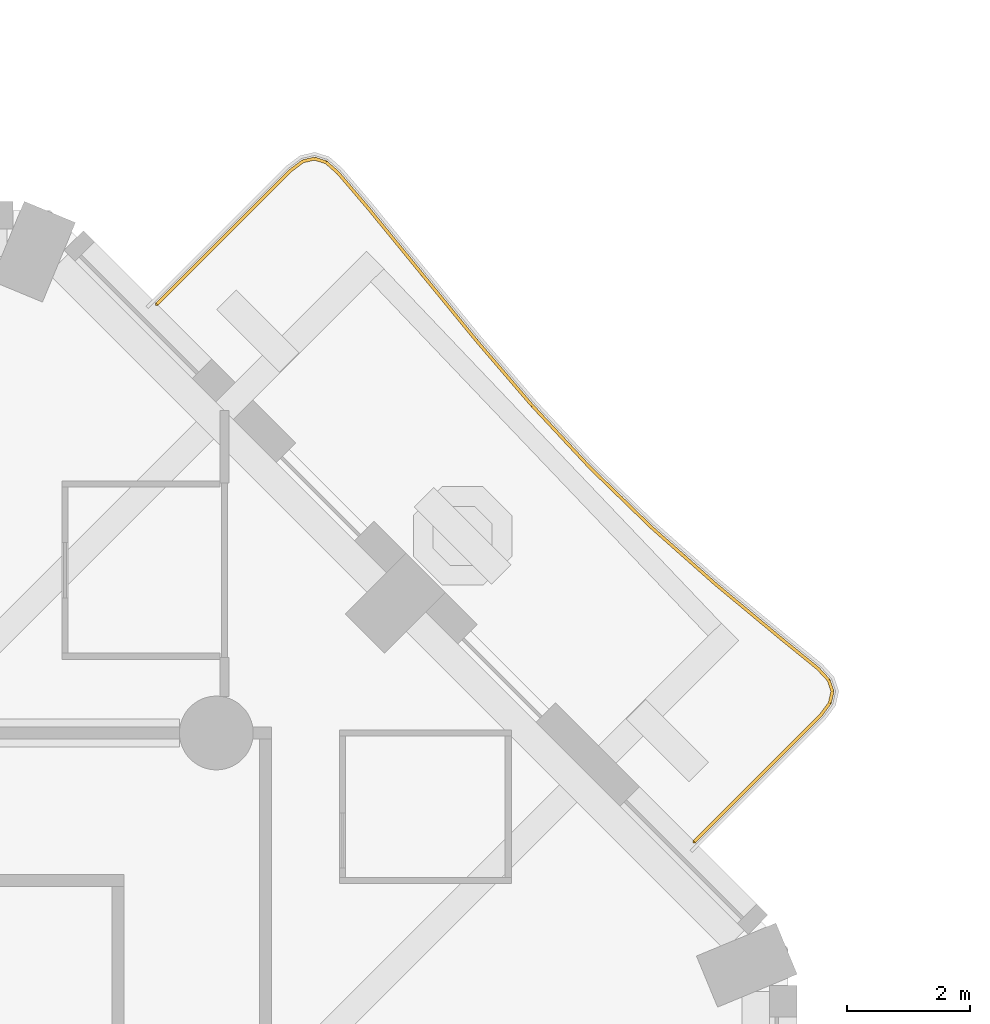
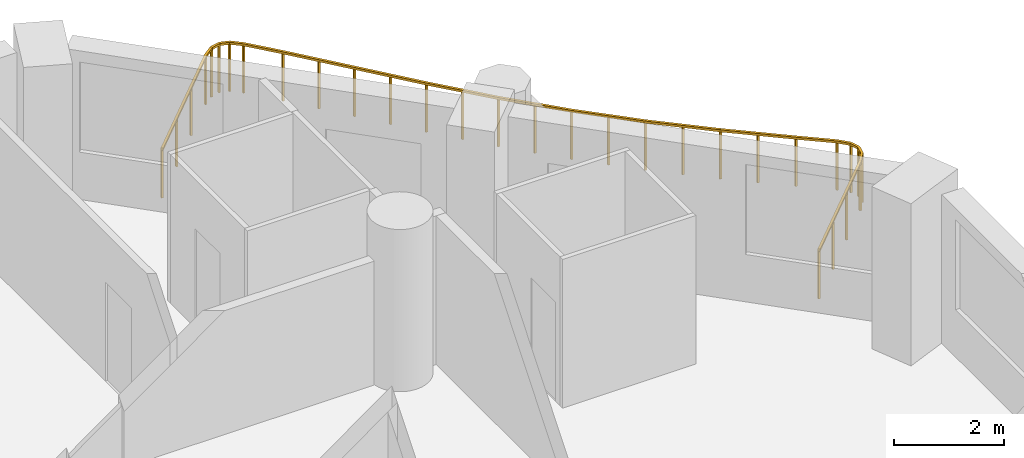
# One storey, part 19 of 20: 1 railing.
"""IFC4 building model written with IfcOpenShell, lengths in metres."""

from ifc_helpers import new_model, si_unit, direction, frame, origin, origin_2d, place, context, subcontext, project, spatial, rectangle, extrude, material, type_object, element, save


model = new_model("IFC4")

# Units and contexts
model_context = context("Model", 3, precision=1e-05, world=origin(), true_north=direction((0.0, 1.0)))
body_context = subcontext(model_context, "Body", "Model", "MODEL_VIEW")
ifc_project = project(units=[si_unit("LENGTHUNIT", "METRE"), si_unit("AREAUNIT", "SQUARE_METRE"), si_unit("VOLUMEUNIT", "CUBIC_METRE"), si_unit("PLANEANGLEUNIT", "RADIAN"), si_unit("MASSUNIT", "GRAM", prefix="KILO")], contexts=[model_context])

# Site, building, storey
site_placement = place(None, origin())
site = spatial("IfcSite", under=ifc_project, at=site_placement, CompositionType="ELEMENT")
building_placement = place(site_placement, origin())
building = spatial("IfcBuilding", under=site, at=building_placement, Name="Cypress Arch Tower", CompositionType="ELEMENT")
storey_placement = place(building_placement, frame((0.0, 0.0, 80.699951171875)))
storey = spatial("IfcBuildingStorey", under=building, at=storey_placement, Name="L14", CompositionType="ELEMENT", Elevation=80.699951171875)

# Railing
ifc_material = material(Name="Powder-coated steel posts and rods, 100 mm clear between rods", Category="steel")
railing_type = type_object("IfcRailingType", Name="Balcony guard GR1100", PredefinedType="GUARDRAIL", material=ifc_material)
railing_placement = place(storey_placement, frame((14.33251953125, 24.479736328125, 0.0)))
element("IfcRailing", 1, at=railing_placement, inside=storey, type_object=railing_type, Name="Balcony guard L14-A07", PredefinedType="GUARDRAIL", context=body_context, shape_type="SweptSolid", body=[
    extrude(rectangle(XDim=0.050048828125, YDim=0.050048828125, at=origin_2d()), frame((0.0, 0.0, 1.0751953125), z_axis=(0.707106781187, 0.707106781187, 0.0), x_axis=(-0.707106781187, 0.707106781187, 0.0)), (0.0, 0.0, 1.0), 3.06494140625),
    extrude(rectangle(XDim=0.050048828125, YDim=0.050048828125, at=origin_2d()), frame((2.167236328125, 2.167236328125, 1.0751953125), z_axis=(0.800677710026, 0.599095321855, 0.0), x_axis=(-0.599095321855, 0.800677710026, 0.0)), (0.0, 0.0, 1.0), 0.25927734375),
    extrude(rectangle(XDim=0.050048828125, YDim=0.050048828125, at=origin_2d()), frame((2.374755859375, 2.322509765625, 1.0751953125), z_axis=(0.97472665696, 0.223400859918, 0.0), x_axis=(-0.223400859918, 0.97472665696, 0.0)), (0.0, 0.0, 1.0), 0.195556640625),
    extrude(rectangle(XDim=0.050048828125, YDim=0.050048828125, at=origin_2d()), frame((2.5654296875, 2.3662109375, 1.0751953125), z_axis=(0.954258047612, -0.298984244683, 0.0), x_axis=(0.298984244683, 0.954258047612, 0.0)), (0.0, 0.0, 1.0), 0.196044921875),
    extrude(rectangle(XDim=0.050048828125, YDim=0.050048828125, at=origin_2d()), frame((2.75244140625, 2.3076171875, 1.0751953125), z_axis=(0.750881700664, -0.660436727937, 0.0), x_axis=(0.660436727937, 0.750881700664, 0.0)), (0.0, 0.0, 1.0), 0.259033203125),
    extrude(rectangle(XDim=0.050048828125, YDim=0.050048828125, at=origin_2d()), frame((2.947021484375, 2.136474609375, 1.0751953125), z_axis=(0.649362056339, -0.760479401291, 0.0), x_axis=(0.760479401291, 0.649362056339, 0.0)), (0.0, 0.0, 1.0), 0.76025390625),
    extrude(rectangle(XDim=0.050048828125, YDim=0.050048828125, at=origin_2d()), frame((3.440673828125, 1.558349609375, 1.0751953125), z_axis=(0.632406558936, -0.774636653028, 0.0), x_axis=(0.774636653028, 0.632406558936, 0.0)), (0.0, 0.0, 1.0), 1.39208984375),
    extrude(rectangle(XDim=0.050048828125, YDim=0.050048828125, at=origin_2d()), frame((4.321044921875, 0.47998046875, 1.0751953125), z_axis=(0.633056484736, -0.774105604639, 0.0), x_axis=(0.774105604639, 0.633056484736, 0.0)), (0.0, 0.0, 1.0), 1.393310546875),
    extrude(rectangle(XDim=0.050048828125, YDim=0.050048828125, at=origin_2d()), frame((5.203125, -0.5986328125, 1.0751953125), z_axis=(0.651268183097, -0.758847648534, 0.0), x_axis=(0.758847648534, 0.651268183097, 0.0)), (0.0, 0.0, 1.0), 1.39111328125),
    extrude(rectangle(XDim=0.050048828125, YDim=0.050048828125, at=origin_2d()), frame((6.109130859375, -1.654296875, 1.0751953125), z_axis=(0.681885965506, -0.731458495094, 0.0), x_axis=(0.731458495094, 0.681885965506, 0.0)), (0.0, 0.0, 1.0), 1.388916015625),
    extrude(rectangle(XDim=0.050048828125, YDim=0.050048828125, at=origin_2d()), frame((7.05615234375, -2.670166015625, 1.0751953125), z_axis=(0.71723417234, -0.696832219424, 0.0), x_axis=(0.696832219424, 0.71723417234, 0.0)), (0.0, 0.0, 1.0), 1.38818359375),
    extrude(rectangle(XDim=0.050048828125, YDim=0.050048828125, at=origin_2d()), frame((8.0517578125, -3.637451171875, 1.0751953125), z_axis=(0.748580707762, -0.663043681793, 0.0), x_axis=(0.663043681793, 0.748580707762, 0.0)), (0.0, 0.0, 1.0), 1.389892578125),
    extrude(rectangle(XDim=0.050048828125, YDim=0.050048828125, at=origin_2d()), frame((9.09228515625, -4.55908203125, 1.0751953125), z_axis=(0.769383875254, -0.638786703446, 0.0), x_axis=(0.638786703446, 0.769383875254, 0.0)), (0.0, 0.0, 1.0), 1.392822265625),
    extrude(rectangle(XDim=0.050048828125, YDim=0.050048828125, at=origin_2d()), frame((10.163818359375, -5.44873046875, 1.0751953125), z_axis=(0.776290151286, -0.630375761761, 0.0), x_axis=(0.630375761761, 0.776290151286, 0.0)), (0.0, 0.0, 1.0), 0.762939453125),
    extrude(rectangle(XDim=0.050048828125, YDim=0.050048828125, at=origin_2d()), frame((10.756103515625, -5.9296875, 1.0751953125), z_axis=(0.67871125453, -0.734405223956, 0.0), x_axis=(0.734405223956, 0.67871125453, 0.0)), (0.0, 0.0, 1.0), 0.258544921875),
    extrude(rectangle(XDim=0.050048828125, YDim=0.050048828125, at=origin_2d()), frame((10.931640625, -6.11962890625, 1.0751953125), z_axis=(0.315848722312, -0.948809561827, 0.0), x_axis=(0.948809561827, 0.315848722312, 0.0)), (0.0, 0.0, 1.0), 0.193359375),
    extrude(rectangle(XDim=0.050048828125, YDim=0.050048828125, at=origin_2d()), frame((10.99267578125, -6.302978515625, 1.0751953125), z_axis=(-0.217465908951, -0.976067916922, 0.0), x_axis=(0.976067916922, -0.217465908951, 0.0)), (0.0, 0.0, 1.0), 0.193115234375),
    extrude(rectangle(XDim=0.050048828125, YDim=0.050048828125, at=origin_2d()), frame((10.95068359375, -6.491455078125, 1.0751953125), z_axis=(-0.598337706181, -0.801244026101, 0.0), x_axis=(0.801244026101, -0.598337706181, 0.0)), (0.0, 0.0, 1.0), 0.2587890625),
    extrude(rectangle(XDim=0.050048828125, YDim=0.050048828125, at=origin_2d()), frame((10.7958984375, -6.69873046875, 1.0751953125), z_axis=(-0.707106781187, -0.707106781187, 0.0), x_axis=(0.707106781187, -0.707106781187, 0.0)), (0.0, 0.0, 1.0), 2.897216796875),
    extrude(rectangle(XDim=0.0400390625, YDim=0.0400390625, at=origin_2d()), origin(), (0.0, 0.0, 1.0), 1.050048828125),
    extrude(rectangle(XDim=0.0400390625, YDim=0.0400390625, at=origin_2d()), frame((0.722412109375, 0.722412109375, 0.0)), (0.0, 0.0, 1.0), 1.050048828125),
    extrude(rectangle(XDim=0.0400390625, YDim=0.0400390625, at=origin_2d()), frame((1.44482421875, 1.44482421875, 0.0)), (0.0, 0.0, 1.0), 1.050048828125),
    extrude(rectangle(XDim=0.0400390625, YDim=0.0400390625, at=origin_2d()), frame((2.167236328125, 2.167236328125, 0.0)), (0.0, 0.0, 1.0), 1.050048828125),
    extrude(rectangle(XDim=0.0400390625, YDim=0.0400390625, at=origin_2d()), frame((2.374755859375, 2.322509765625, 0.0)), (0.0, 0.0, 1.0), 1.050048828125),
    extrude(rectangle(XDim=0.0400390625, YDim=0.0400390625, at=origin_2d()), frame((2.5654296875, 2.3662109375, 0.0)), (0.0, 0.0, 1.0), 1.050048828125),
    extrude(rectangle(XDim=0.0400390625, YDim=0.0400390625, at=origin_2d()), frame((2.75244140625, 2.3076171875, 0.0)), (0.0, 0.0, 1.0), 1.050048828125),
    extrude(rectangle(XDim=0.0400390625, YDim=0.0400390625, at=origin_2d()), frame((2.947021484375, 2.136474609375, 0.0)), (0.0, 0.0, 1.0), 1.050048828125),
    extrude(rectangle(XDim=0.0400390625, YDim=0.0400390625, at=origin_2d()), frame((3.440673828125, 1.558349609375, 0.0)), (0.0, 0.0, 1.0), 1.050048828125),
    extrude(rectangle(XDim=0.0400390625, YDim=0.0400390625, at=origin_2d()), frame((3.880859375, 1.01904296875, 0.0)), (0.0, 0.0, 1.0), 1.050048828125),
    extrude(rectangle(XDim=0.0400390625, YDim=0.0400390625, at=origin_2d()), frame((4.321044921875, 0.47998046875, 0.0)), (0.0, 0.0, 1.0), 1.050048828125),
    extrude(rectangle(XDim=0.0400390625, YDim=0.0400390625, at=origin_2d()), frame((4.76220703125, -0.059326171875, 0.0)), (0.0, 0.0, 1.0), 1.050048828125),
    extrude(rectangle(XDim=0.0400390625, YDim=0.0400390625, at=origin_2d()), frame((5.203125, -0.5986328125, 0.0)), (0.0, 0.0, 1.0), 1.050048828125),
    extrude(rectangle(XDim=0.0400390625, YDim=0.0400390625, at=origin_2d()), frame((5.65625, -1.12646484375, 0.0)), (0.0, 0.0, 1.0), 1.050048828125),
    extrude(rectangle(XDim=0.0400390625, YDim=0.0400390625, at=origin_2d()), frame((6.109130859375, -1.654296875, 0.0)), (0.0, 0.0, 1.0), 1.050048828125),
    extrude(rectangle(XDim=0.0400390625, YDim=0.0400390625, at=origin_2d()), frame((6.58251953125, -2.162109375, 0.0)), (0.0, 0.0, 1.0), 1.050048828125),
    extrude(rectangle(XDim=0.0400390625, YDim=0.0400390625, at=origin_2d()), frame((7.05615234375, -2.670166015625, 0.0)), (0.0, 0.0, 1.0), 1.050048828125),
    extrude(rectangle(XDim=0.0400390625, YDim=0.0400390625, at=origin_2d()), frame((7.553955078125, -3.15380859375, 0.0)), (0.0, 0.0, 1.0), 1.050048828125),
    extrude(rectangle(XDim=0.0400390625, YDim=0.0400390625, at=origin_2d()), frame((8.0517578125, -3.637451171875, 0.0)), (0.0, 0.0, 1.0), 1.050048828125),
    extrude(rectangle(XDim=0.0400390625, YDim=0.0400390625, at=origin_2d()), frame((8.572021484375, -4.09814453125, 0.0)), (0.0, 0.0, 1.0), 1.050048828125),
    extrude(rectangle(XDim=0.0400390625, YDim=0.0400390625, at=origin_2d()), frame((9.09228515625, -4.55908203125, 0.0)), (0.0, 0.0, 1.0), 1.050048828125),
    extrude(rectangle(XDim=0.0400390625, YDim=0.0400390625, at=origin_2d()), frame((9.6279296875, -5.00390625, 0.0)), (0.0, 0.0, 1.0), 1.050048828125),
    extrude(rectangle(XDim=0.0400390625, YDim=0.0400390625, at=origin_2d()), frame((10.163818359375, -5.44873046875, 0.0)), (0.0, 0.0, 1.0), 1.050048828125),
    extrude(rectangle(XDim=0.0400390625, YDim=0.0400390625, at=origin_2d()), frame((10.756103515625, -5.9296875, 0.0)), (0.0, 0.0, 1.0), 1.050048828125),
    extrude(rectangle(XDim=0.0400390625, YDim=0.0400390625, at=origin_2d()), frame((10.931640625, -6.11962890625, 0.0)), (0.0, 0.0, 1.0), 1.050048828125),
    extrude(rectangle(XDim=0.0400390625, YDim=0.0400390625, at=origin_2d()), frame((10.99267578125, -6.302978515625, 0.0)), (0.0, 0.0, 1.0), 1.050048828125),
    extrude(rectangle(XDim=0.0400390625, YDim=0.0400390625, at=origin_2d()), frame((10.95068359375, -6.491455078125, 0.0)), (0.0, 0.0, 1.0), 1.050048828125),
    extrude(rectangle(XDim=0.0400390625, YDim=0.0400390625, at=origin_2d()), frame((10.7958984375, -6.69873046875, 0.0)), (0.0, 0.0, 1.0), 1.050048828125),
    extrude(rectangle(XDim=0.0400390625, YDim=0.0400390625, at=origin_2d()), frame((10.113037109375, -7.381591796875, 0.0)), (0.0, 0.0, 1.0), 1.050048828125),
    extrude(rectangle(XDim=0.0400390625, YDim=0.0400390625, at=origin_2d()), frame((9.43017578125, -8.064453125, 0.0)), (0.0, 0.0, 1.0), 1.050048828125),
    extrude(rectangle(XDim=0.0400390625, YDim=0.0400390625, at=origin_2d()), frame((8.747314453125, -8.747314453125, 0.0)), (0.0, 0.0, 1.0), 1.050048828125),
])

save(model, "model.ifc")
